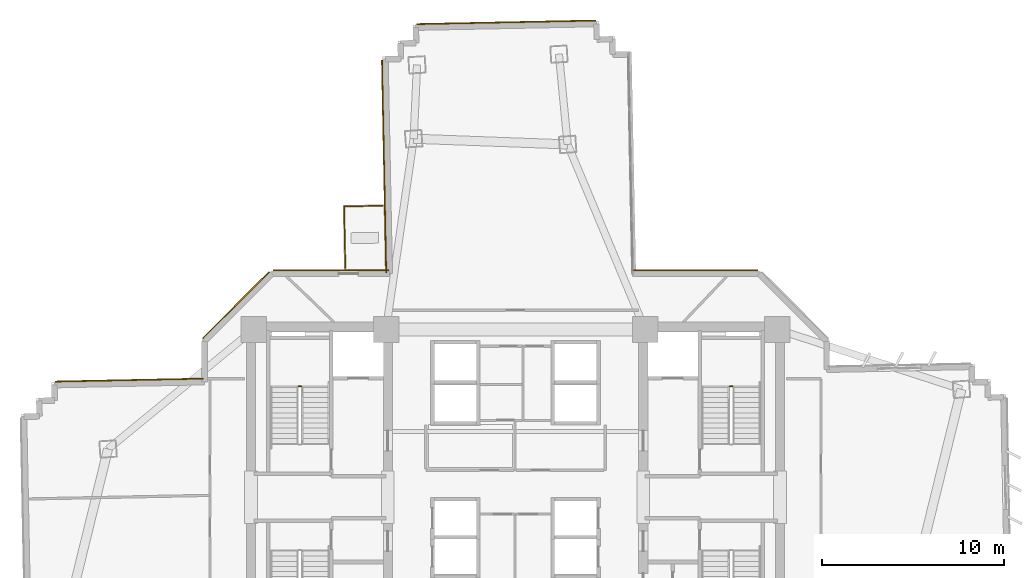
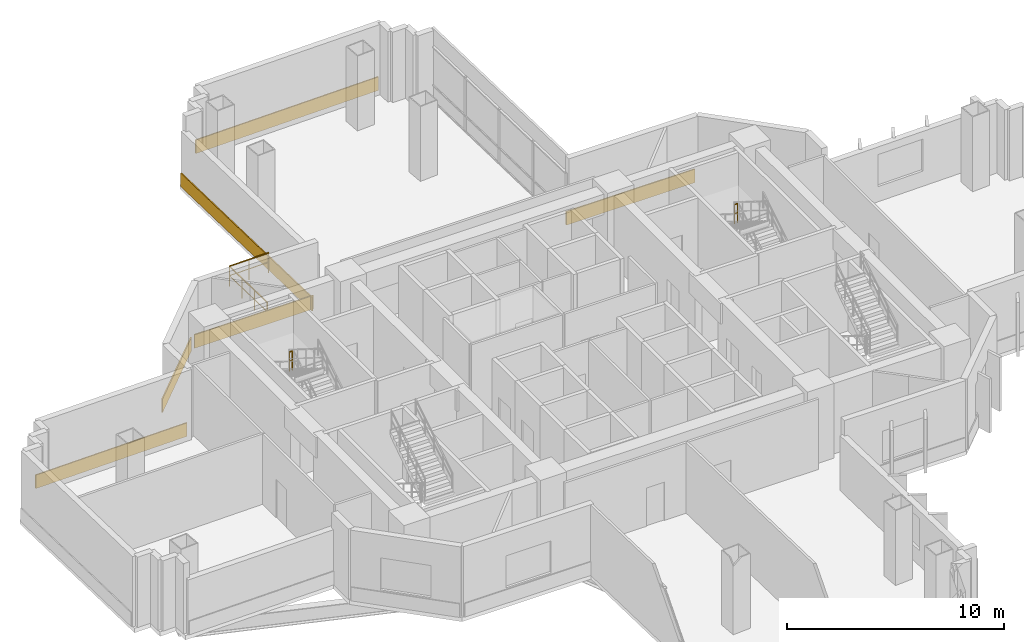
# One storey, part 14 of 15: 6 coverings, 4 railings.
"""IFC4 building model written with IfcOpenShell, lengths in metres."""

from ifc_helpers import new_model, si_unit, direction, frame, origin, origin_2d, place, context, subcontext, project, spatial, rectangle, extrude, source, transform, mapped, material, layer, layer_set, type_object, element, save


model = new_model("IFC4")

# Units and contexts
model_context = context("Model", 3, precision=1e-05, world=origin(), true_north=direction((0.0, 1.0)))
body_context = subcontext(model_context, "Body", "Model", "MODEL_VIEW")
ifc_project = project(units=[si_unit("LENGTHUNIT", "METRE"), si_unit("AREAUNIT", "SQUARE_METRE"), si_unit("VOLUMEUNIT", "CUBIC_METRE"), si_unit("PLANEANGLEUNIT", "RADIAN"), si_unit("MASSUNIT", "GRAM", prefix="KILO")], contexts=[model_context])

# Site, building, storey
site_placement = place(None, origin())
site = spatial("IfcSite", under=ifc_project, at=site_placement, CompositionType="ELEMENT")
building_placement = place(site_placement, origin())
building = spatial("IfcBuilding", under=site, at=building_placement, Name="Zahravan Cultural Tower", CompositionType="ELEMENT")
storey_placement = place(building_placement, frame((0.0, 0.0, 45.89990234375)))
storey = spatial("IfcBuildingStorey", under=building, at=storey_placement, Name="L09", CompositionType="ELEMENT", Elevation=45.89990234375)

# Railings
ifc_material_1 = material(Name="Steel ASTM A572 Grade 50", Category="steel")
railing_type_1 = type_object("IfcRailingType", Name="RL-BAL-1150", PredefinedType="BALUSTRADE", material=ifc_material_1)
railing_1_placement = place(storey_placement, frame((26.600830078125, 42.9462890625, 0.0)))
element("IfcRailing", 1, at=railing_1_placement, inside=storey, type_object=railing_type_1, Name="L09 Edge Balustrade GRD-TR-L09-NW-01", PredefinedType="BALUSTRADE", context=body_context, shape_type="SweptSolid", body=[
    extrude(rectangle(XDim=0.05, YDim=0.05, at=origin_2d()), frame((0.0, 0.0, 1.125), z_axis=(0.99980468136, 0.019763580911, 0.0), x_axis=(-0.019763580911, 0.99980468136, 0.0)), (0.0, 0.0, 1.0), 2.10009765625),
    extrude(rectangle(XDim=0.032, YDim=0.032, at=origin_2d()), frame((0.0, 0.0, 0.597900390625), z_axis=(0.99980468136, 0.019763580911, 0.0), x_axis=(-0.019763580911, 0.99980468136, 0.0)), (0.0, 0.0, 1.0), 2.10009765625),
    extrude(rectangle(XDim=0.04, YDim=0.04, at=origin_2d()), origin(), (0.0, 0.0, 1.0), 1.14990234375),
    extrude(rectangle(XDim=0.04, YDim=0.04, at=origin_2d()), frame((1.0498046875, 0.020751953125, 0.0)), (0.0, 0.0, 1.0), 1.14990234375),
    extrude(rectangle(XDim=0.04, YDim=0.04, at=origin_2d()), frame((2.099609375, 0.04150390625, 0.0)), (0.0, 0.0, 1.0), 1.14990234375),
])
railing_2_placement = place(storey_placement, frame((26.667724609375, 39.580078125, 0.0)))
element("IfcRailing", 2, at=railing_2_placement, inside=storey, type_object=railing_type_1, Name="L09 Edge Balustrade GRD-TR-L09-NW-02", PredefinedType="BALUSTRADE", context=body_context, shape_type="SweptSolid", body=[
    extrude(rectangle(XDim=0.05, YDim=0.05, at=origin_2d()), frame((0.0, 0.0, 1.125), z_axis=(-0.019868430033, 0.999802603261, 0.0), x_axis=(-0.999802603261, -0.019868430033, 0.0)), (0.0, 0.0, 1.0), 3.366943359375),
    extrude(rectangle(XDim=0.032, YDim=0.032, at=origin_2d()), frame((0.0, 0.0, 0.597900390625), z_axis=(-0.019868430033, 0.999802603261, 0.0), x_axis=(-0.999802603261, -0.019868430033, 0.0)), (0.0, 0.0, 1.0), 3.366943359375),
    extrude(rectangle(XDim=0.04, YDim=0.04, at=origin_2d()), origin(), (0.0, 0.0, 1.0), 1.14990234375),
    extrude(rectangle(XDim=0.04, YDim=0.04, at=origin_2d()), frame((-0.022216796875, 1.1220703125, 0.0)), (0.0, 0.0, 1.0), 1.14990234375),
    extrude(rectangle(XDim=0.04, YDim=0.04, at=origin_2d()), frame((-0.044677734375, 2.244140625, 0.0)), (0.0, 0.0, 1.0), 1.14990234375),
    extrude(rectangle(XDim=0.04, YDim=0.04, at=origin_2d()), frame((-0.06689453125, 3.3662109375, 0.0)), (0.0, 0.0, 1.0), 1.14990234375),
])
railing_type_2 = type_object("IfcRailingType", Name="RL-STAIR-GRD1150", PredefinedType="BALUSTRADE", material=ifc_material_1)
for number, where, name in (
    (3, (24.25, 33.080078125, 2.10009765625), "L09 ST-W1 stair guard 2"),
    (4, (47.89990234375, 33.080078125, 2.10009765625), "L09 ST-E1 stair guard 2"),
):
    element("IfcRailing", number, at=place(storey_placement, frame(where)), inside=storey, type_object=railing_type_2, Name=name, PredefinedType="BALUSTRADE", context=body_context, shape_type="SweptSolid", body=[
        extrude(rectangle(XDim=0.05, YDim=0.05, at=origin_2d()), frame((0.0, 0.0, 1.0751953125), z_axis=(-1.0, 0.0, 0.0), x_axis=(0.0, -1.0, 0.0)), (0.0, 0.0, 1.0), 0.14990234375),
        extrude(rectangle(XDim=0.032, YDim=0.032, at=origin_2d()), frame((0.0, 0.0, 0.572021484375), z_axis=(-1.0, 0.0, 0.0), x_axis=(0.0, -1.0, 0.0)), (0.0, 0.0, 1.0), 0.14990234375),
        extrude(rectangle(XDim=0.04, YDim=0.04, at=origin_2d()), origin(), (0.0, 0.0, 1.0), 1.10009765625),
        extrude(rectangle(XDim=0.04, YDim=0.04, at=origin_2d()), frame((-0.14990234375, 0.0, 0.0)), (0.0, 0.0, 1.0), 1.10009765625),
    ])

# Coverings
ifc_material_2 = material(Name="Terracotta ceramic cladding", Category="masonry")
ifc_layer = layer(ifc_material_2, 0.06005859375)
ifc_layer_set = layer_set([ifc_layer], Name="Terracotta ceramic cladding")
covering_type = type_object("IfcCoveringType", Name="COV-CLAD-TC60", PredefinedType="CLADDING", material=ifc_layer_set)
shared_shape_1 = source(origin(), body_context, "Body", "SweptSolid", [
    extrude(rectangle(XDim=9.820068359375, YDim=0.06005859375, at=origin_2d()), origin(), (0.0, 0.0, 1.0), 0.760009765625),
])
covering_1_placement = place(storey_placement, frame((35.481689453125, 53.039794921875, 0.02001953125), z_axis=(0.0, 0.0, 1.0), x_axis=(0.999802066131, 0.019895440708, 0.0)))
element("IfcCovering", 5, at=covering_1_placement, inside=storey, type_object=covering_type, Name="L09 Terracotta Spandrel Cladding 47", PredefinedType="CLADDING", context=body_context, shape_type="MappedRepresentation", body=[
    mapped(shared_shape_1, transform((0.0, 0.0, 0.0), x_axis=(1.0, 0.0, 0.0), y_axis=(0.0, 1.0, 0.0), z_axis=(0.0, 0.0, 1.0), scale=1.0)),
])
shared_shape_2 = source(origin(), body_context, "Body", "SweptSolid", [
    extrude(rectangle(XDim=5.157958984375, YDim=0.06005859375, at=origin_2d()), origin(), (0.0, 0.0, 1.0), 0.760009765625),
])
covering_2_placement = place(storey_placement, frame((20.668212890625, 37.53173828125, 0.02001953125), z_axis=(0.0, 0.0, 1.0), x_axis=(0.707106781187, 0.707106781187, 0.0)))
element("IfcCovering", 6, at=covering_2_placement, inside=storey, type_object=covering_type, Name="L09 Terracotta Spandrel Cladding 40", PredefinedType="CLADDING", context=body_context, shape_type="MappedRepresentation", body=[
    mapped(shared_shape_2, transform((0.0, 0.0, 0.0), x_axis=(1.0, 0.0, 0.0), y_axis=(0.0, 1.0, 0.0), z_axis=(0.0, 0.0, 1.0), scale=1.0)),
])
shared_shape_3 = source(origin(), body_context, "Body", "SweptSolid", [
    extrude(rectangle(XDim=8.129150390625, YDim=0.06005859375, at=origin_2d()), origin(), (0.0, 0.0, 1.0), 0.760009765625),
])
covering_3_placement = place(storey_placement, frame((14.822509765625, 33.425048828125, 0.02001953125), z_axis=(0.0, 0.0, 1.0), x_axis=(0.999801718737, 0.019912890543, 0.0)))
element("IfcCovering", 7, at=covering_3_placement, inside=storey, type_object=covering_type, Name="L09 Terracotta Spandrel Cladding 38", PredefinedType="CLADDING", context=body_context, shape_type="MappedRepresentation", body=[
    mapped(shared_shape_3, transform((0.0, 0.0, 0.0), x_axis=(1.0, 0.0, 0.0), y_axis=(0.0, 1.0, 0.0), z_axis=(0.0, 0.0, 1.0), scale=1.0)),
])
shared_shape_4 = source(origin(), body_context, "Body", "SweptSolid", [
    extrude(rectangle(XDim=6.336669921875, YDim=0.06005859375, at=origin_2d()), origin(), (0.0, 0.0, 1.0), 0.760009765625),
])
covering_4_placement = place(storey_placement, frame((25.87646484375, 39.445068359375, 0.02001953125), z_axis=(0.0, 0.0, 1.0), x_axis=(1.0, 0.0, 0.0)))
element("IfcCovering", 8, at=covering_4_placement, inside=storey, type_object=covering_type, Name="L09 Terracotta Spandrel Cladding 41", PredefinedType="CLADDING", context=body_context, shape_type="MappedRepresentation", body=[
    mapped(shared_shape_4, transform((0.0, 0.0, 0.0), x_axis=(1.0, 0.0, 0.0), y_axis=(0.0, 1.0, 0.0), z_axis=(0.0, 0.0, 1.0), scale=1.0)),
])
shared_shape_5 = source(origin(), body_context, "Body", "SweptSolid", [
    extrude(rectangle(XDim=11.6650390625, YDim=0.06005859375, at=origin_2d()), origin(), (0.0, 0.0, 1.0), 0.760009765625),
])
covering_5_placement = place(storey_placement, frame((28.792724609375, 45.1376953125, 0.02001953125), z_axis=(0.0, 0.0, 1.0), x_axis=(-0.019895440708, 0.999802066131, 0.0)))
element("IfcCovering", 9, at=covering_5_placement, inside=storey, type_object=covering_type, Name="L09 Terracotta Spandrel Cladding 42", PredefinedType="CLADDING", context=body_context, shape_type="MappedRepresentation", body=[
    mapped(shared_shape_5, transform((0.0, 0.0, 0.0), x_axis=(1.0, 0.0, 0.0), y_axis=(0.0, 1.0, 0.0), z_axis=(0.0, 0.0, 1.0), scale=1.0)),
])
shared_shape_6 = source(origin(), body_context, "Body", "SweptSolid", [
    extrude(rectangle(XDim=6.82470703125, YDim=0.06005859375, at=origin_2d()), origin(), (0.0, 0.0, 1.0), 0.760009765625),
])
covering_6_placement = place(storey_placement, frame((45.879638671875, 39.445068359375, 0.02001953125), z_axis=(0.0, 0.0, 1.0), x_axis=(1.0, 0.0, 0.0)))
element("IfcCovering", 10, at=covering_6_placement, inside=storey, type_object=covering_type, Name="L09 Terracotta Spandrel Cladding 52", PredefinedType="CLADDING", context=body_context, shape_type="MappedRepresentation", body=[
    mapped(shared_shape_6, transform((0.0, 0.0, 0.0), x_axis=(1.0, 0.0, 0.0), y_axis=(0.0, 1.0, 0.0), z_axis=(0.0, 0.0, 1.0), scale=1.0)),
])

save(model, "model.ifc")
